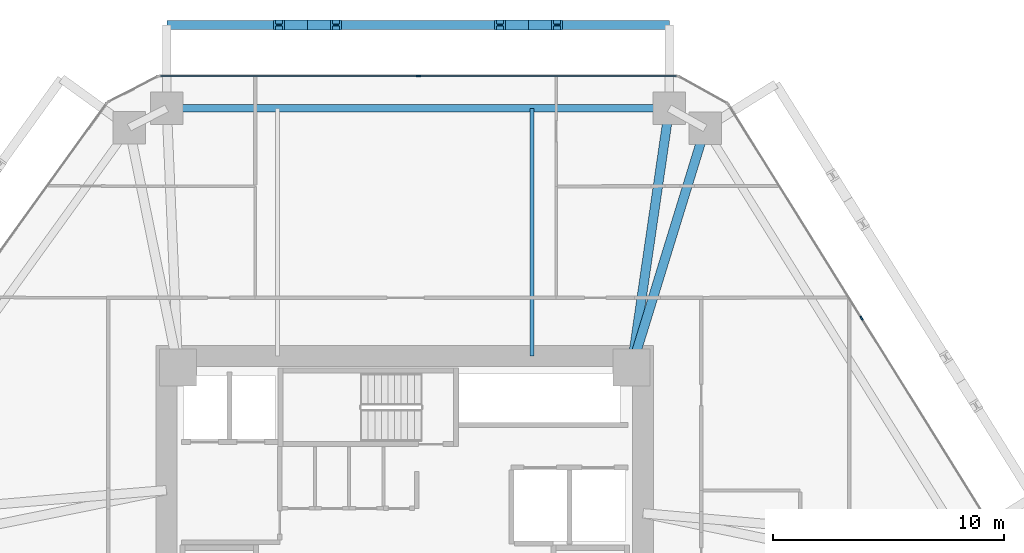
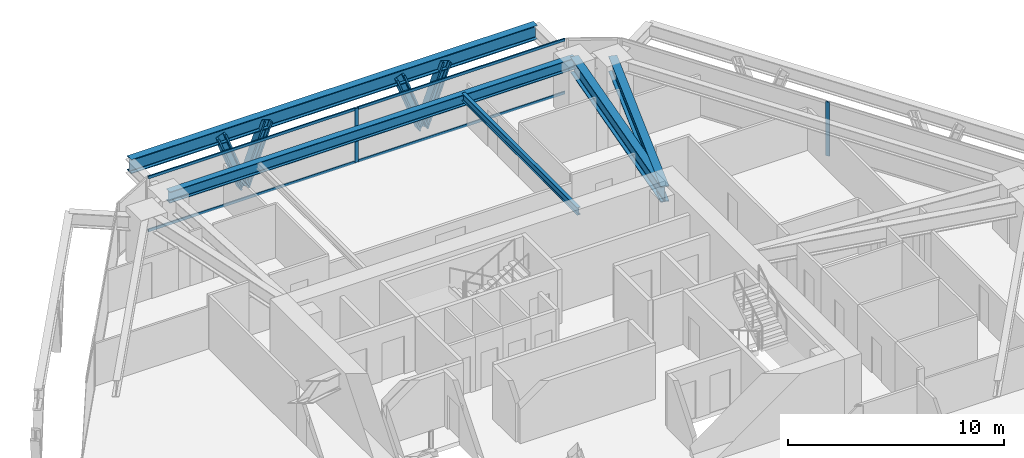
# One storey, part 8 of 15: 10 members, 5 beams, 2 elements without a shape of their own.
"""IFC4 building model written with IfcOpenShell, lengths in metres."""

from ifc_helpers import new_model, si_unit, direction, frame, origin, origin_2d, place, context, subcontext, project, spatial, rectangle, i_section, extrude, source, transform, mapped, material, layer, layer_set, material_profile, profile_set, type_object, type_shapes, element, aggregate, save


model = new_model("IFC4")

# Units and contexts
model_context = context("Model", 3, precision=1e-05, world=origin(), true_north=direction((0.0, 1.0)))
body_context = subcontext(model_context, "Body", "Model", "MODEL_VIEW")
ifc_project = project(units=[si_unit("LENGTHUNIT", "METRE"), si_unit("AREAUNIT", "SQUARE_METRE"), si_unit("VOLUMEUNIT", "CUBIC_METRE"), si_unit("PLANEANGLEUNIT", "RADIAN"), si_unit("MASSUNIT", "GRAM", prefix="KILO")], contexts=[model_context])

# Site, building, storey
site_placement = place(None, origin())
site = spatial("IfcSite", under=ifc_project, at=site_placement, CompositionType="ELEMENT")
building_placement = place(site_placement, origin())
building = spatial("IfcBuilding", under=site, at=building_placement, Name="Durnholm Broadcast Tower", CompositionType="ELEMENT")
storey_placement = place(building_placement, frame((0.0, 0.0, 55.5)))
storey = spatial("IfcBuildingStorey", under=building, at=storey_placement, Name="L13", CompositionType="ELEMENT", Elevation=55.5)

# Beams
ifc_material_1 = material(Name="Steel ASTM A992 Grade 50", Category="steel")
ifc_material_profile_1 = material_profile(ifc_material_1, i_section(OverallWidth=0.3291015625, OverallDepth=0.635009765625, WebThickness=0.017822265625, FlangeThickness=0.031005859375, FilletRadius=0.02783203125, at=origin_2d()), Name="W24X162")
ifc_profile_set_1 = profile_set([ifc_material_profile_1], Name="Steel ASTM A992 Grade 50")
beam_type_1 = type_object("IfcBeamType", Name="STL-SP-W24X162", PredefinedType="SPANDREL", material=ifc_profile_set_1)
shared_shape_1 = source(origin(), body_context, "Body", "SweptSolid", [
    extrude(i_section(OverallWidth=0.3291015625, OverallDepth=0.635009765625, WebThickness=0.017822265625, FlangeThickness=0.031005859375, FilletRadius=0.02783203125, at=origin_2d()), origin(), (0.0, 0.0, 1.0), 21.7138671875),
])
type_shapes(beam_type_1, [shared_shape_1])
beam_1_placement = place(storey_placement, frame((-10.28271484375, 19.0, 2.7275390625), z_axis=(1.0, 0.0, 0.0), x_axis=(0.0, 1.0, 0.0)))
element("IfcBeam", 1, at=beam_1_placement, inside=storey, type_object=beam_type_1, Name="L13 perimeter spandrel girder 05", PredefinedType="SPANDREL", context=body_context, shape_type="MappedRepresentation", body=[
    mapped(shared_shape_1, transform((0.0, 0.0, 0.0), x_axis=(1.0, 0.0, 0.0), y_axis=(0.0, 1.0, 0.0), z_axis=(0.0, 0.0, 1.0), scale=1.0)),
])
ifc_material_profile_2 = material_profile(ifc_material_1, i_section(OverallWidth=0.404052734375, OverallDepth=0.885009765625, WebThickness=0.0244140625, FlangeThickness=0.0439453125, FilletRadius=0.03564453125, at=origin_2d()), Name="W33X291")
ifc_profile_set_2 = profile_set([ifc_material_profile_2], Name="Steel ASTM A992 Grade 50")
beam_type_2 = type_object("IfcBeamType", Name="STL-GR-W33X291", PredefinedType="USERDEFINED", material=ifc_profile_set_2)
shared_shape_2 = source(origin(), body_context, "Body", "SweptSolid", [
    extrude(i_section(OverallWidth=0.404052734375, OverallDepth=0.885009765625, WebThickness=0.0244140625, FlangeThickness=0.0439453125, FilletRadius=0.03564453125, at=origin_2d()), origin(), (0.0, 0.0, 1.0), 11.318115234375),
])
beam_2_placement = place(storey_placement, frame((9.800048828125, 7.800048828125, 2.6025390625), z_axis=(0.144114595679, 0.989561005352, 0.0), x_axis=(-0.989561005352, 0.144114595679, 0.0)))
element("IfcBeam", 2, at=beam_2_placement, inside=storey, type_object=beam_type_2, Name="L13 radial primary floor girder 06", ObjectType="GIRDER", PredefinedType="USERDEFINED", context=body_context, shape_type="MappedRepresentation", body=[
    mapped(shared_shape_2, transform((0.0, 0.0, 0.0), x_axis=(1.0, 0.0, 0.0), y_axis=(0.0, 1.0, 0.0), z_axis=(0.0, 0.0, 1.0), scale=1.0)),
])
shared_shape_3 = source(origin(), body_context, "Body", "SweptSolid", [
    extrude(i_section(OverallWidth=0.404052734375, OverallDepth=0.885009765625, WebThickness=0.0244140625, FlangeThickness=0.0439453125, FilletRadius=0.03564453125, at=origin_2d()), origin(), (0.0, 0.0, 1.0), 10.817138671875),
])
type_shapes(beam_type_2, [shared_shape_2, shared_shape_3])
beam_3_placement = place(storey_placement, frame((9.800048828125, 7.800048828125, 2.6025390625), z_axis=(0.294219068418, 0.955738007918, 0.0), x_axis=(-0.955738007918, 0.294219068418, 0.0)))
element("IfcBeam", 3, at=beam_3_placement, inside=storey, type_object=beam_type_2, Name="L13 radial primary floor girder 07", ObjectType="GIRDER", PredefinedType="USERDEFINED", context=body_context, shape_type="MappedRepresentation", body=[
    mapped(shared_shape_3, transform((0.0, 0.0, 0.0), x_axis=(1.0, 0.0, 0.0), y_axis=(0.0, 1.0, 0.0), z_axis=(0.0, 0.0, 1.0), scale=1.0)),
])
ifc_material_profile_3 = material_profile(ifc_material_1, i_section(OverallWidth=0.180908203125, OverallDepth=0.417236328125, WebThickness=0.010986328125, FlangeThickness=0.018310546875, FilletRadius=0.01904296875, at=origin_2d()), Name="W16X57")
ifc_profile_set_3 = profile_set([ifc_material_profile_3], Name="Steel ASTM A992 Grade 50")
beam_type_3 = type_object("IfcBeamType", Name="STL-BJ-W16X57", PredefinedType="JOIST", material=ifc_profile_set_3)
shared_shape_4 = source(origin(), body_context, "Body", "SweptSolid", [
    extrude(i_section(OverallWidth=0.180908203125, OverallDepth=0.417236328125, WebThickness=0.010986328125, FlangeThickness=0.018310546875, FilletRadius=0.01904296875, at=origin_2d()), origin(), (0.0, 0.0, 1.0), 10.699951171875),
])
type_shapes(beam_type_3, [shared_shape_4])
beam_4_placement = place(storey_placement, frame((5.5, 8.300048828125, 2.83642578125), z_axis=(0.0, 1.0, 0.0), x_axis=(-1.0, 0.0, 0.0)))
element("IfcBeam", 4, at=beam_4_placement, inside=storey, type_object=beam_type_3, Name="L13 secondary floor joist 4.2", PredefinedType="JOIST", context=body_context, shape_type="MappedRepresentation", body=[
    mapped(shared_shape_4, transform((0.0, 0.0, 0.0), x_axis=(1.0, 0.0, 0.0), y_axis=(0.0, 1.0, 0.0), z_axis=(0.0, 0.0, 1.0), scale=1.0)),
])
ifc_material_profile_4 = material_profile(ifc_material_1, i_section(OverallWidth=0.385009765625, OverallDepth=0.802978515625, WebThickness=0.023681640625, FlangeThickness=0.0419921875, FilletRadius=0.032958984375, at=origin_2d()), Name="W30X261")
ifc_profile_set_4 = profile_set([ifc_material_profile_4], Name="Steel ASTM A992 Grade 50")
beam_type_4 = type_object("IfcBeamType", Name="BM-EXO-TIE", PredefinedType="USERDEFINED", material=ifc_profile_set_4)
shared_shape_5 = source(origin(), body_context, "Body", "SweptSolid", [
    extrude(i_section(OverallWidth=0.385009765625, OverallDepth=0.802978515625, WebThickness=0.023681640625, FlangeThickness=0.0419921875, FilletRadius=0.032958984375, at=origin_2d()), origin(), (0.0, 0.0, 1.0), 21.7138671875),
])
type_shapes(beam_type_4, [shared_shape_5])
beam_5_placement = place(storey_placement, frame((11.43115234375, 22.60009765625, 2.30859375), z_axis=(-1.0, 0.0, 0.0), x_axis=(0.0, -1.0, 0.0)))
element("IfcBeam", 5, at=beam_5_placement, inside=storey, type_object=beam_type_4, Name="L13 exoskeleton collector spandrel F4", PredefinedType="SPANDREL", context=body_context, shape_type="MappedRepresentation", body=[
    mapped(shared_shape_5, transform((0.0, 0.0, 0.0), x_axis=(1.0, 0.0, 0.0), y_axis=(0.0, 1.0, 0.0), z_axis=(0.0, 0.0, 1.0), scale=1.0)),
])

# Members
ifc_material_2 = material(Name="Steel ASTM A913 Grade 65", Category="steel")
ifc_material_profile_5 = material_profile(ifc_material_2, i_section(OverallWidth=0.43212890625, OverallDepth=0.497802734375, WebThickness=0.0556640625, FlangeThickness=0.0888671875, FilletRadius=0.030517578125, at=origin_2d()), Name="W14X500")
ifc_profile_set_5 = profile_set([ifc_material_profile_5], Name="Steel ASTM A913 Grade 65")
member_type_1 = type_object("IfcMemberType", Name="STL-DG-W14X500", PredefinedType="BRACE", material=ifc_profile_set_5)
shared_shape_6 = source(origin(), body_context, "Body", "SweptSolid", [
    extrude(i_section(OverallWidth=0.43212890625, OverallDepth=0.497802734375, WebThickness=0.0556640625, FlangeThickness=0.0888671875, FilletRadius=0.030517578125, at=origin_2d()), origin(), (0.0, 0.0, 1.0), 3.523193359375),
])
type_shapes(member_type_1, [shared_shape_6])
for number, where, z_axis, x_axis, name in (
    (6, (5.351318359375, 22.60009765625, -0.991455078125), (0.350219588454, 0.0, 0.936667625075), (0.0, 1.0, 0.0), "L13 stand-off diagrid brace F4.D1.1"),
    (7, (5.351318359375, 22.60009765625, -0.991455078125), (-0.350219588454, 0.0, 0.936667625075), (0.0, -1.0, 0.0), "L13 stand-off diagrid brace F4.D1.2"),
    (8, (-4.202880859375, 22.60009765625, -0.991455078125), (0.350219588454, 0.0, 0.936667625075), (0.0, 1.0, 0.0), "L13 stand-off diagrid brace F4.D2.1"),
    (9, (-4.202880859375, 22.60009765625, -0.991455078125), (-0.350219588454, 0.0, 0.936667625075), (0.0, -1.0, 0.0), "L13 stand-off diagrid brace F4.D2.2"),
):
    element("IfcMember", number, at=place(storey_placement, frame(where, z_axis=z_axis, x_axis=x_axis)), inside=storey, type_object=member_type_1, Name=name, PredefinedType="BRACE", context=body_context, shape_type="MappedRepresentation", body=[
        mapped(shared_shape_6, transform((0.0, 0.0, 0.0), x_axis=(1.0, 0.0, 0.0), y_axis=(0.0, 1.0, 0.0), z_axis=(0.0, 0.0, 1.0), scale=1.0)),
    ])

# Curtain wall, member
ifc_material_3 = material(Name="Aluminium and Solar Control IGU", Category="aluminium")
ifc_layer = layer(ifc_material_3, 0.18994140625)
ifc_layer_set = layer_set([ifc_layer], Name="Aluminium and Solar Control IGU")
curtain_wall_type = type_object("IfcCurtainWallType", Name="CW-SYS-3", PredefinedType="NOTDEFINED", material=ifc_layer_set)
curtain_wall_1_placement = place(storey_placement, origin())
curtain_wall_1 = element("IfcCurtainWall", 10, at=curtain_wall_1_placement, inside=storey, type_object=curtain_wall_type, Name="L13 curtain wall CW-Z12-VIS CW-L13-F04", PredefinedType="NOTDEFINED")
ifc_material_4 = material(Name="Aluminium 6063-T6", Category="aluminium")
ifc_material_profile_6 = material_profile(ifc_material_4, rectangle(XDim=0.070068359375, YDim=0.18994140625, at=origin_2d()), Name="CWM70X190")
ifc_profile_set_6 = profile_set([ifc_material_profile_6], Name="Aluminium 6063-T6")
member_type_2 = type_object("IfcMemberType", Name="CW-SYS-3-MUL", PredefinedType="MULLION", material=ifc_profile_set_6)
shared_shape_7 = source(origin(), body_context, "Body", "SweptSolid", [
    extrude(rectangle(XDim=0.070068359375, YDim=0.18994140625, at=origin_2d()), origin(), (0.0, 0.0, 1.0), 3.06005859375),
])
type_shapes(member_type_2, [shared_shape_7])
member_1_placement = place(storey_placement, frame((0.5869140625, 20.39990234375, 0.0), z_axis=(0.0, 0.0, 1.0), x_axis=(0.0, 1.0, 0.0)))
member_1 = element("IfcMember", 11, at=member_1_placement, type_object=member_type_2, Name="CW-Z12-VIS mullion 2", PredefinedType="MULLION", context=body_context, shape_type="MappedRepresentation", body=[
    mapped(shared_shape_7, transform((0.0, 0.0, 0.0), x_axis=(1.0, 0.0, 0.0), y_axis=(0.0, 1.0, 0.0), z_axis=(0.0, 0.0, 1.0), scale=1.0)),
])

curtain_wall_2_placement = place(storey_placement, origin())
curtain_wall_2 = element("IfcCurtainWall", 12, at=curtain_wall_2_placement, inside=storey, type_object=curtain_wall_type, Name="L13 curtain wall CW-Z12-VIS CW-L13-F06", PredefinedType="NOTDEFINED")
member_2_placement = place(storey_placement, frame((19.741943359375, 9.93212890625, 0.0), z_axis=(0.0, 0.0, 1.0), x_axis=(0.848875785503, 0.528592376777, 0.0)))
member_2 = element("IfcMember", 13, at=member_2_placement, type_object=member_type_2, Name="CW-Z12-VIS mullion 2", PredefinedType="MULLION", context=body_context, shape_type="MappedRepresentation", body=[
    mapped(shared_shape_7, transform((0.0, 0.0, 0.0), x_axis=(1.0, 0.0, 0.0), y_axis=(0.0, 1.0, 0.0), z_axis=(0.0, 0.0, 1.0), scale=1.0)),
])
aggregate(curtain_wall_2, [member_2])

# Member
ifc_material_profile_7 = material_profile(ifc_material_4, rectangle(XDim=0.070068359375, YDim=0.14990234375, at=origin_2d()), Name="CWT70X150")
ifc_profile_set_7 = profile_set([ifc_material_profile_7], Name="Aluminium 6063-T6")
member_type_3 = type_object("IfcMemberType", Name="CW-SYS-3-TRN", PredefinedType="USERDEFINED", material=ifc_profile_set_7)
shared_shape_8 = source(origin(), body_context, "Body", "SweptSolid", [
    extrude(rectangle(XDim=0.070068359375, YDim=0.14990234375, at=origin_2d()), origin(), (0.0, 0.0, 1.0), 11.10205078125),
])
type_shapes(member_type_3, [shared_shape_8])
member_3_placement = place(storey_placement, frame((-10.55029296875, 20.39990234375, 0.034912109375), z_axis=(1.0, 0.0, 0.0), x_axis=(0.0, 1.0, 0.0)))
member_3 = element("IfcMember", 14, at=member_3_placement, type_object=member_type_3, Name="CW-Z12-VIS transom 1.1", ObjectType="TRANSOM", PredefinedType="USERDEFINED", context=body_context, shape_type="MappedRepresentation", body=[
    mapped(shared_shape_8, transform((0.0, 0.0, 0.0), x_axis=(1.0, 0.0, 0.0), y_axis=(0.0, 1.0, 0.0), z_axis=(0.0, 0.0, 1.0), scale=1.0)),
])

member_4_placement = place(storey_placement, frame((-10.55029296875, 20.39990234375, 3.02490234375), z_axis=(1.0, 0.0, 0.0), x_axis=(0.0, 1.0, 0.0)))
member_4 = element("IfcMember", 15, at=member_4_placement, type_object=member_type_3, Name="CW-Z12-VIS transom 1.2", ObjectType="TRANSOM", PredefinedType="USERDEFINED", context=body_context, shape_type="MappedRepresentation", body=[
    mapped(shared_shape_8, transform((0.0, 0.0, 0.0), x_axis=(1.0, 0.0, 0.0), y_axis=(0.0, 1.0, 0.0), z_axis=(0.0, 0.0, 1.0), scale=1.0)),
])

member_5_placement = place(storey_placement, frame((0.621826171875, 20.39990234375, 0.034912109375), z_axis=(1.0, 0.0, 0.0), x_axis=(0.0, 1.0, 0.0)))
member_5 = element("IfcMember", 16, at=member_5_placement, type_object=member_type_3, Name="CW-Z12-VIS transom 2.1", ObjectType="TRANSOM", PredefinedType="USERDEFINED", context=body_context, shape_type="MappedRepresentation", body=[
    mapped(shared_shape_8, transform((0.0, 0.0, 0.0), x_axis=(1.0, 0.0, 0.0), y_axis=(0.0, 1.0, 0.0), z_axis=(0.0, 0.0, 1.0), scale=1.0)),
])

member_6_placement = place(storey_placement, frame((0.621826171875, 20.39990234375, 3.02490234375), z_axis=(1.0, 0.0, 0.0), x_axis=(0.0, 1.0, 0.0)))
member_6 = element("IfcMember", 17, at=member_6_placement, type_object=member_type_3, Name="CW-Z12-VIS transom 2.2", ObjectType="TRANSOM", PredefinedType="USERDEFINED", context=body_context, shape_type="MappedRepresentation", body=[
    mapped(shared_shape_8, transform((0.0, 0.0, 0.0), x_axis=(1.0, 0.0, 0.0), y_axis=(0.0, 1.0, 0.0), z_axis=(0.0, 0.0, 1.0), scale=1.0)),
])

aggregate(curtain_wall_1, [member_1, member_3, member_4, member_5, member_6])

save(model, "model.ifc")
